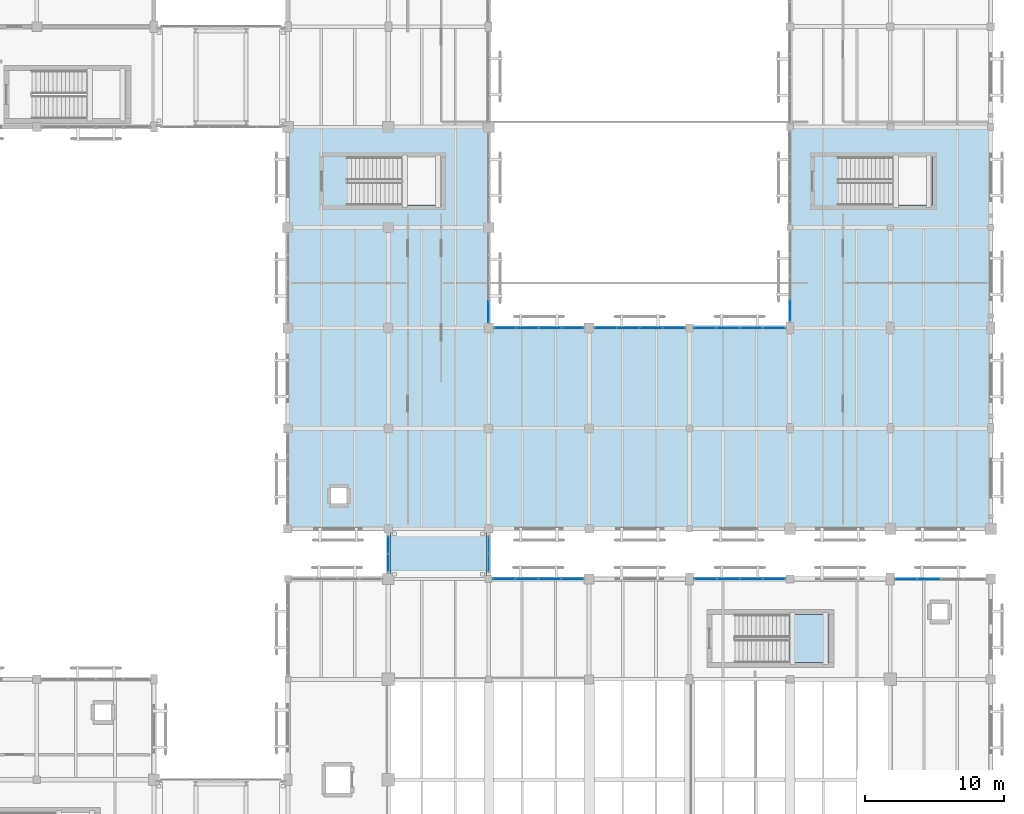
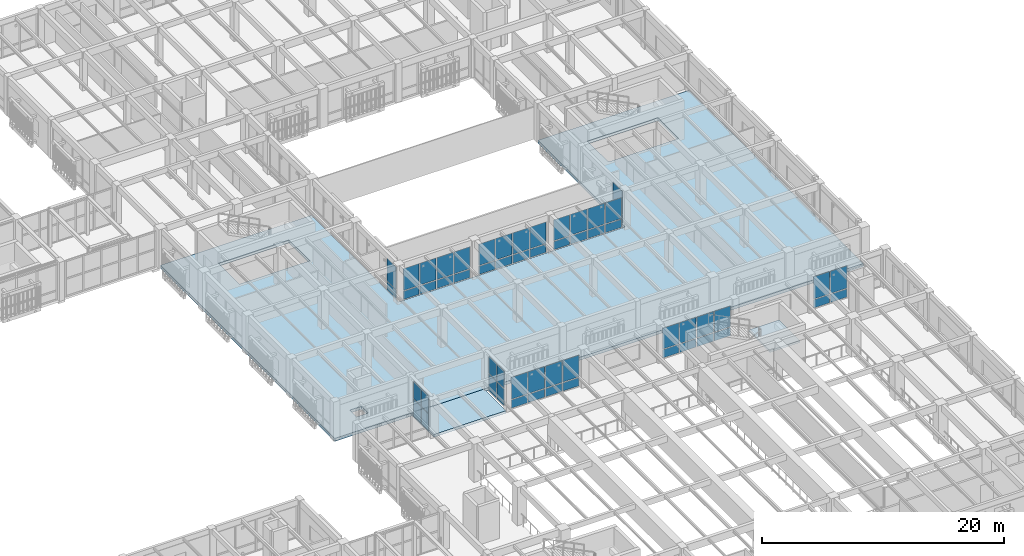
# One storey, part 125 of 170: 56 plates, 3 slabs, 11 elements without a shape of their own.
"""IFC4 building model written with IfcOpenShell, lengths in metres."""

from ifc_helpers import new_model, si_unit, direction, frame, origin, origin_2d, place, context, subcontext, project, spatial, polyline, rectangle, outline, extrude, material, layer, layer_set, type_object, element, aggregate, save


model = new_model("IFC4")

# Units and contexts
model_context = context("Model", 3, precision=1e-05, world=origin(), true_north=direction((0.0, 1.0)))
body_context = subcontext(model_context, "Body", "Model", "MODEL_VIEW")
ifc_project = project(units=[si_unit("LENGTHUNIT", "METRE"), si_unit("AREAUNIT", "SQUARE_METRE"), si_unit("VOLUMEUNIT", "CUBIC_METRE"), si_unit("PLANEANGLEUNIT", "RADIAN"), si_unit("MASSUNIT", "GRAM", prefix="KILO")], contexts=[model_context])

# Site, building, storey
site_placement = place(None, origin())
site = spatial("IfcSite", under=ifc_project, at=site_placement, CompositionType="ELEMENT")
building_placement = place(site_placement, origin())
building = spatial("IfcBuilding", under=site, at=building_placement, Name="Mazaris Harbour Polytechnic", CompositionType="ELEMENT")
storey_placement = place(building_placement, frame((0.0, 0.0, 5.39990234375)))
storey = spatial("IfcBuildingStorey", under=building, at=storey_placement, Name="L01", CompositionType="ELEMENT", Elevation=5.39990234375)

# Slab
ifc_material_1 = material(Name="Glulam GL28h and Concrete C30/37", Category="concrete")
ifc_layer_1 = layer(ifc_material_1, 0.264892578125, Name="Glulam GL28h and Concrete C30/37")
ifc_layer_set_1 = layer_set([ifc_layer_1], Name="Glulam GL28h and Concrete C30/37")
slab_type_1 = type_object("IfcSlabType", Name="CLT Composite Floor 265", PredefinedType="FLOOR", material=ifc_layer_set_1)
slab_1_placement = place(storey_placement, frame((0.0, 0.0, -0.264892578125)))
element("IfcSlab", 1, at=slab_1_placement, inside=storey, type_object=slab_type_1, Name="PB-NE L01 Bridge Deck", PredefinedType="FLOOR", context=body_context, shape_type="SweptSolid", body=[
    extrude(outline(polyline([(136.64990234375, 43.199951171875), (136.64990234375, 46.800048828125), (129.75, 46.800048828125), (129.75, 43.199951171875), (136.64990234375, 43.199951171875)])), origin(), (0.0, 0.0, 1.0), 0.264892578125),
])

# Curtain wall, plates
ifc_material_2 = material(Name="Anodised Bronze Aluminium and Low-E Glass", Category="aluminium")
ifc_layer_2 = layer(ifc_material_2, 0.139892578125, Name="Anodised Bronze Aluminium and Low-E Glass")
ifc_layer_set_2 = layer_set([ifc_layer_2], Name="Anodised Bronze Aluminium and Low-E Glass")
curtain_wall_type_1 = type_object("IfcCurtainWallType", Name="Seismic Link Bridge Glazing", PredefinedType="NOTDEFINED", material=ifc_layer_set_2)
curtain_wall_1_placement = place(storey_placement, origin())
curtain_wall_1 = element("IfcCurtainWall", 2, at=curtain_wall_1_placement, inside=storey, type_object=curtain_wall_type_1, Name="PB-NE L01 Bridge Glazing", PredefinedType="NOTDEFINED")
ifc_material_3 = material(Name="Anodised Bronze Insulated Panel")
ifc_layer_3 = layer(ifc_material_3, 0.0419921875, Name="Anodised Bronze Insulated Panel")
ifc_layer_set_3 = layer_set([ifc_layer_3], Name="Anodised Bronze Insulated Panel")
plate_type_1 = type_object("IfcPlateType", Name="Insulated Bronze Spandrel Panel 42", PredefinedType="CURTAIN_PANEL", material=ifc_layer_set_3)
plate_1_placement = place(storey_placement, frame((129.60009765625, 45.639892578125, 0.080078125), z_axis=(0.0, 0.0, 1.0), x_axis=(0.0, -1.0, 0.0)))
plate_1 = element("IfcPlate", 3, at=plate_1_placement, type_object=plate_type_1, Name="CW-05 panel 1.1", PredefinedType="CURTAIN_PANEL", context=body_context, shape_type="SweptSolid", body=[
    extrude(rectangle(XDim=1.199951171875, YDim=0.0419921875, at=origin_2d()), origin(), (0.0, 0.0, 1.0), 1.697509765625),
])
plate_2_placement = place(storey_placement, frame((129.60009765625, 45.639892578125, 1.857421875), z_axis=(0.0, 0.0, 1.0), x_axis=(0.0, -1.0, 0.0)))
plate_2 = element("IfcPlate", 4, at=plate_2_placement, type_object=plate_type_1, Name="CW-05 panel 1.2", PredefinedType="CURTAIN_PANEL", context=body_context, shape_type="SweptSolid", body=[
    extrude(rectangle(XDim=1.199951171875, YDim=0.0419921875, at=origin_2d()), origin(), (0.0, 0.0, 1.0), 1.697509765625),
])
plate_3_placement = place(storey_placement, frame((129.60009765625, 44.360107421875, 0.080078125), z_axis=(0.0, 0.0, 1.0), x_axis=(0.0, -1.0, 0.0)))
plate_3 = element("IfcPlate", 5, at=plate_3_placement, type_object=plate_type_1, Name="CW-05 panel 2.1", PredefinedType="CURTAIN_PANEL", context=body_context, shape_type="SweptSolid", body=[
    extrude(rectangle(XDim=1.199951171875, YDim=0.0419921875, at=origin_2d()), origin(), (0.0, 0.0, 1.0), 1.697509765625),
])
plate_4_placement = place(storey_placement, frame((129.60009765625, 44.360107421875, 1.857421875), z_axis=(0.0, 0.0, 1.0), x_axis=(0.0, -1.0, 0.0)))
plate_4 = element("IfcPlate", 6, at=plate_4_placement, type_object=plate_type_1, Name="CW-05 panel 2.2", PredefinedType="CURTAIN_PANEL", context=body_context, shape_type="SweptSolid", body=[
    extrude(rectangle(XDim=1.199951171875, YDim=0.0419921875, at=origin_2d()), origin(), (0.0, 0.0, 1.0), 1.697509765625),
])
aggregate(curtain_wall_1, [plate_1, plate_2, plate_3, plate_4])

ifc_material_4 = material(Name="Anodised Bronze Aluminium and Low-E Glass", Category="aluminium")
ifc_layer_4 = layer(ifc_material_4, 0.159912109375, Name="Anodised Bronze Aluminium and Low-E Glass")
ifc_layer_set_4 = layer_set([ifc_layer_4], Name="Anodised Bronze Aluminium and Low-E Glass")
curtain_wall_type_2 = type_object("IfcCurtainWallType", Name="Cloister Court Curtain Wall", PredefinedType="NOTDEFINED", material=ifc_layer_set_4)
curtain_wall_2_placement = place(storey_placement, origin())
curtain_wall_2 = element("IfcCurtainWall", 7, at=curtain_wall_2_placement, inside=storey, type_object=curtain_wall_type_2, Name="V2 L01 Curtain Wall 44", PredefinedType="NOTDEFINED")
ifc_material_5 = material(Name="Low-E Double Glazing", Category="glass")
ifc_layer_5 = layer(ifc_material_5, 0.028076171875, Name="Low-E Double Glazing")
ifc_layer_set_5 = layer_set([ifc_layer_5], Name="Low-E Double Glazing")
plate_type_2 = type_object("IfcPlateType", Name="Low-E Vision Glass Panel 28", PredefinedType="CURTAIN_PANEL", material=ifc_layer_set_5)
plate_5_placement = place(storey_placement, frame((137.888916015625, 43.199951171875, 0.080078125), z_axis=(0.0, 0.0, 1.0), x_axis=(1.0, 0.0, 0.0)))
plate_5 = element("IfcPlate", 8, at=plate_5_placement, type_object=plate_type_2, Name="CW-02 panel 1.1", PredefinedType="CURTAIN_PANEL", context=body_context, shape_type="SweptSolid", body=[
    extrude(rectangle(XDim=1.533935546875, YDim=0.028076171875, at=origin_2d()), origin(), (0.0, 0.0, 1.0), 0.830078125),
])
plate_6_placement = place(storey_placement, frame((137.888916015625, 43.199951171875, 0.990234375), z_axis=(0.0, 0.0, 1.0), x_axis=(1.0, 0.0, 0.0)))
plate_6 = element("IfcPlate", 9, at=plate_6_placement, type_object=plate_type_2, Name="CW-02 panel 1.2", PredefinedType="CURTAIN_PANEL", context=body_context, shape_type="SweptSolid", body=[
    extrude(rectangle(XDim=1.533935546875, YDim=0.028076171875, at=origin_2d()), origin(), (0.0, 0.0, 1.0), 2.18994140625),
])
plate_7_placement = place(storey_placement, frame((139.52294921875, 43.199951171875, 0.080078125), z_axis=(0.0, 0.0, 1.0), x_axis=(1.0, 0.0, 0.0)))
plate_7 = element("IfcPlate", 10, at=plate_7_placement, type_object=plate_type_2, Name="CW-02 panel 2.1", PredefinedType="CURTAIN_PANEL", context=body_context, shape_type="SweptSolid", body=[
    extrude(rectangle(XDim=1.573974609375, YDim=0.028076171875, at=origin_2d()), origin(), (0.0, 0.0, 1.0), 0.830078125),
])
plate_8_placement = place(storey_placement, frame((139.52294921875, 43.199951171875, 0.990234375), z_axis=(0.0, 0.0, 1.0), x_axis=(1.0, 0.0, 0.0)))
plate_8 = element("IfcPlate", 11, at=plate_8_placement, type_object=plate_type_2, Name="CW-02 panel 2.2", PredefinedType="CURTAIN_PANEL", context=body_context, shape_type="SweptSolid", body=[
    extrude(rectangle(XDim=1.573974609375, YDim=0.028076171875, at=origin_2d()), origin(), (0.0, 0.0, 1.0), 2.18994140625),
])
plate_9_placement = place(storey_placement, frame((141.177001953125, 43.199951171875, 0.080078125), z_axis=(0.0, 0.0, 1.0), x_axis=(1.0, 0.0, 0.0)))
plate_9 = element("IfcPlate", 12, at=plate_9_placement, type_object=plate_type_2, Name="CW-02 panel 3.1", PredefinedType="CURTAIN_PANEL", context=body_context, shape_type="SweptSolid", body=[
    extrude(rectangle(XDim=1.573974609375, YDim=0.028076171875, at=origin_2d()), origin(), (0.0, 0.0, 1.0), 0.830078125),
])
plate_10_placement = place(storey_placement, frame((141.177001953125, 43.199951171875, 0.990234375), z_axis=(0.0, 0.0, 1.0), x_axis=(1.0, 0.0, 0.0)))
plate_10 = element("IfcPlate", 13, at=plate_10_placement, type_object=plate_type_2, Name="CW-02 panel 3.2", PredefinedType="CURTAIN_PANEL", context=body_context, shape_type="SweptSolid", body=[
    extrude(rectangle(XDim=1.573974609375, YDim=0.028076171875, at=origin_2d()), origin(), (0.0, 0.0, 1.0), 2.18994140625),
])
plate_11_placement = place(storey_placement, frame((142.81103515625, 43.199951171875, 0.080078125), z_axis=(0.0, 0.0, 1.0), x_axis=(1.0, 0.0, 0.0)))
plate_11 = element("IfcPlate", 14, at=plate_11_placement, type_object=plate_type_2, Name="CW-02 panel 4.1", PredefinedType="CURTAIN_PANEL", context=body_context, shape_type="SweptSolid", body=[
    extrude(rectangle(XDim=1.533935546875, YDim=0.028076171875, at=origin_2d()), origin(), (0.0, 0.0, 1.0), 0.830078125),
])
plate_12_placement = place(storey_placement, frame((142.81103515625, 43.199951171875, 0.990234375), z_axis=(0.0, 0.0, 1.0), x_axis=(1.0, 0.0, 0.0)))
plate_12 = element("IfcPlate", 15, at=plate_12_placement, type_object=plate_type_2, Name="CW-02 panel 4.2", PredefinedType="CURTAIN_PANEL", context=body_context, shape_type="SweptSolid", body=[
    extrude(rectangle(XDim=1.533935546875, YDim=0.028076171875, at=origin_2d()), origin(), (0.0, 0.0, 1.0), 2.18994140625),
])
aggregate(curtain_wall_2, [plate_5, plate_6, plate_7, plate_8, plate_9, plate_10, plate_11, plate_12])

curtain_wall_3_placement = place(storey_placement, origin())
curtain_wall_3 = element("IfcCurtainWall", 16, at=curtain_wall_3_placement, inside=storey, type_object=curtain_wall_type_2, Name="V2 L01 Curtain Wall 45", PredefinedType="NOTDEFINED")
plate_13_placement = place(storey_placement, frame((152.339111328125, 43.199951171875, 0.080078125), z_axis=(0.0, 0.0, 1.0), x_axis=(1.0, 0.0, 0.0)))
plate_13 = element("IfcPlate", 17, at=plate_13_placement, type_object=plate_type_2, Name="CW-02 panel 1.1", PredefinedType="CURTAIN_PANEL", context=body_context, shape_type="SweptSolid", body=[
    extrude(rectangle(XDim=1.533935546875, YDim=0.028076171875, at=origin_2d()), origin(), (0.0, 0.0, 1.0), 0.830078125),
])
plate_14_placement = place(storey_placement, frame((152.339111328125, 43.199951171875, 0.990234375), z_axis=(0.0, 0.0, 1.0), x_axis=(1.0, 0.0, 0.0)))
plate_14 = element("IfcPlate", 18, at=plate_14_placement, type_object=plate_type_2, Name="CW-02 panel 1.2", PredefinedType="CURTAIN_PANEL", context=body_context, shape_type="SweptSolid", body=[
    extrude(rectangle(XDim=1.533935546875, YDim=0.028076171875, at=origin_2d()), origin(), (0.0, 0.0, 1.0), 2.090087890625),
])
plate_15_placement = place(storey_placement, frame((153.972900390625, 43.199951171875, 0.080078125), z_axis=(0.0, 0.0, 1.0), x_axis=(1.0, 0.0, 0.0)))
plate_15 = element("IfcPlate", 19, at=plate_15_placement, type_object=plate_type_2, Name="CW-02 panel 2.1", PredefinedType="CURTAIN_PANEL", context=body_context, shape_type="SweptSolid", body=[
    extrude(rectangle(XDim=1.573974609375, YDim=0.028076171875, at=origin_2d()), origin(), (0.0, 0.0, 1.0), 0.830078125),
])
plate_16_placement = place(storey_placement, frame((153.972900390625, 43.199951171875, 0.990234375), z_axis=(0.0, 0.0, 1.0), x_axis=(1.0, 0.0, 0.0)))
plate_16 = element("IfcPlate", 20, at=plate_16_placement, type_object=plate_type_2, Name="CW-02 panel 2.2", PredefinedType="CURTAIN_PANEL", context=body_context, shape_type="SweptSolid", body=[
    extrude(rectangle(XDim=1.573974609375, YDim=0.028076171875, at=origin_2d()), origin(), (0.0, 0.0, 1.0), 2.090087890625),
])
plate_17_placement = place(storey_placement, frame((155.626953125, 43.199951171875, 0.080078125), z_axis=(0.0, 0.0, 1.0), x_axis=(1.0, 0.0, 0.0)))
plate_17 = element("IfcPlate", 21, at=plate_17_placement, type_object=plate_type_2, Name="CW-02 panel 3.1", PredefinedType="CURTAIN_PANEL", context=body_context, shape_type="SweptSolid", body=[
    extrude(rectangle(XDim=1.573974609375, YDim=0.028076171875, at=origin_2d()), origin(), (0.0, 0.0, 1.0), 0.830078125),
])
plate_18_placement = place(storey_placement, frame((155.626953125, 43.199951171875, 0.990234375), z_axis=(0.0, 0.0, 1.0), x_axis=(1.0, 0.0, 0.0)))
plate_18 = element("IfcPlate", 22, at=plate_18_placement, type_object=plate_type_2, Name="CW-02 panel 3.2", PredefinedType="CURTAIN_PANEL", context=body_context, shape_type="SweptSolid", body=[
    extrude(rectangle(XDim=1.573974609375, YDim=0.028076171875, at=origin_2d()), origin(), (0.0, 0.0, 1.0), 2.090087890625),
])
plate_19_placement = place(storey_placement, frame((157.260986328125, 43.199951171875, 0.080078125), z_axis=(0.0, 0.0, 1.0), x_axis=(1.0, 0.0, 0.0)))
plate_19 = element("IfcPlate", 23, at=plate_19_placement, type_object=plate_type_2, Name="CW-02 panel 4.1", PredefinedType="CURTAIN_PANEL", context=body_context, shape_type="SweptSolid", body=[
    extrude(rectangle(XDim=1.533935546875, YDim=0.028076171875, at=origin_2d()), origin(), (0.0, 0.0, 1.0), 0.830078125),
])
plate_20_placement = place(storey_placement, frame((157.260986328125, 43.199951171875, 0.990234375), z_axis=(0.0, 0.0, 1.0), x_axis=(1.0, 0.0, 0.0)))
plate_20 = element("IfcPlate", 24, at=plate_20_placement, type_object=plate_type_2, Name="CW-02 panel 4.2", PredefinedType="CURTAIN_PANEL", context=body_context, shape_type="SweptSolid", body=[
    extrude(rectangle(XDim=1.533935546875, YDim=0.028076171875, at=origin_2d()), origin(), (0.0, 0.0, 1.0), 2.090087890625),
])
aggregate(curtain_wall_3, [plate_13, plate_14, plate_15, plate_16, plate_17, plate_18, plate_19, plate_20])

curtain_wall_4_placement = place(storey_placement, origin())
curtain_wall_4 = element("IfcCurtainWall", 25, at=curtain_wall_4_placement, inside=storey, type_object=curtain_wall_type_2, Name="V2 L01 Curtain Wall 46", PredefinedType="NOTDEFINED")
plate_21_placement = place(storey_placement, frame((166.732666015625, 43.199951171875, 0.080078125), z_axis=(0.0, 0.0, 1.0), x_axis=(1.0, 0.0, 0.0)))
plate_21 = element("IfcPlate", 26, at=plate_21_placement, type_object=plate_type_2, Name="CW-02 panel 1.1", PredefinedType="CURTAIN_PANEL", context=body_context, shape_type="SweptSolid", body=[
    extrude(rectangle(XDim=1.521484375, YDim=0.028076171875, at=origin_2d()), origin(), (0.0, 0.0, 1.0), 0.830078125),
])
plate_22_placement = place(storey_placement, frame((166.732666015625, 43.199951171875, 0.989990234375), z_axis=(0.0, 0.0, 1.0), x_axis=(1.0, 0.0, 0.0)))
plate_22 = element("IfcPlate", 27, at=plate_22_placement, type_object=plate_type_2, Name="CW-02 panel 1.2", PredefinedType="CURTAIN_PANEL", context=body_context, shape_type="SweptSolid", body=[
    extrude(rectangle(XDim=1.521484375, YDim=0.028076171875, at=origin_2d()), origin(), (0.0, 0.0, 1.0), 2.25),
])
plate_23_placement = place(storey_placement, frame((168.354248046875, 43.199951171875, 0.080078125), z_axis=(0.0, 0.0, 1.0), x_axis=(1.0, 0.0, 0.0)))
plate_23 = element("IfcPlate", 28, at=plate_23_placement, type_object=plate_type_2, Name="CW-02 panel 2.1", PredefinedType="CURTAIN_PANEL", context=body_context, shape_type="SweptSolid", body=[
    extrude(rectangle(XDim=1.5615234375, YDim=0.028076171875, at=origin_2d()), origin(), (0.0, 0.0, 1.0), 0.830078125),
])
plate_24_placement = place(storey_placement, frame((168.354248046875, 43.199951171875, 0.989990234375), z_axis=(0.0, 0.0, 1.0), x_axis=(1.0, 0.0, 0.0)))
plate_24 = element("IfcPlate", 29, at=plate_24_placement, type_object=plate_type_2, Name="CW-02 panel 2.2", PredefinedType="CURTAIN_PANEL", context=body_context, shape_type="SweptSolid", body=[
    extrude(rectangle(XDim=1.5615234375, YDim=0.028076171875, at=origin_2d()), origin(), (0.0, 0.0, 1.0), 2.25),
])
aggregate(curtain_wall_4, [plate_21, plate_22, plate_23, plate_24])

curtain_wall_5_placement = place(storey_placement, origin())
curtain_wall_5 = element("IfcCurtainWall", 30, at=curtain_wall_5_placement, inside=storey, type_object=curtain_wall_type_1, Name="PB-NE L01 Bridge Glazing", PredefinedType="NOTDEFINED")
plate_25_placement = place(storey_placement, frame((136.800048828125, 44.360107421875, 0.080078125), z_axis=(0.0, 0.0, 1.0), x_axis=(0.0, 1.0, 0.0)))
plate_25 = element("IfcPlate", 31, at=plate_25_placement, type_object=plate_type_2, Name="CW-05 panel 1.1", PredefinedType="CURTAIN_PANEL", context=body_context, shape_type="SweptSolid", body=[
    extrude(rectangle(XDim=1.199951171875, YDim=0.028076171875, at=origin_2d()), origin(), (0.0, 0.0, 1.0), 1.697509765625),
])
plate_26_placement = place(storey_placement, frame((136.800048828125, 44.360107421875, 1.857421875), z_axis=(0.0, 0.0, 1.0), x_axis=(0.0, 1.0, 0.0)))
plate_26 = element("IfcPlate", 32, at=plate_26_placement, type_object=plate_type_2, Name="CW-05 panel 1.2", PredefinedType="CURTAIN_PANEL", context=body_context, shape_type="SweptSolid", body=[
    extrude(rectangle(XDim=1.199951171875, YDim=0.028076171875, at=origin_2d()), origin(), (0.0, 0.0, 1.0), 1.697509765625),
])
plate_27_placement = place(storey_placement, frame((136.800048828125, 45.639892578125, 0.080078125), z_axis=(0.0, 0.0, 1.0), x_axis=(0.0, 1.0, 0.0)))
plate_27 = element("IfcPlate", 33, at=plate_27_placement, type_object=plate_type_2, Name="CW-05 panel 2.1", PredefinedType="CURTAIN_PANEL", context=body_context, shape_type="SweptSolid", body=[
    extrude(rectangle(XDim=1.199951171875, YDim=0.028076171875, at=origin_2d()), origin(), (0.0, 0.0, 1.0), 1.697509765625),
])
plate_28_placement = place(storey_placement, frame((136.800048828125, 45.639892578125, 1.857421875), z_axis=(0.0, 0.0, 1.0), x_axis=(0.0, 1.0, 0.0)))
plate_28 = element("IfcPlate", 34, at=plate_28_placement, type_object=plate_type_2, Name="CW-05 panel 2.2", PredefinedType="CURTAIN_PANEL", context=body_context, shape_type="SweptSolid", body=[
    extrude(rectangle(XDim=1.199951171875, YDim=0.028076171875, at=origin_2d()), origin(), (0.0, 0.0, 1.0), 1.697509765625),
])
aggregate(curtain_wall_5, [plate_25, plate_26, plate_27, plate_28])

# Slab
ifc_material_6 = material(Name="Concrete C35/45", Category="concrete")
ifc_layer_6 = layer(ifc_material_6, 0.300048828125, Name="Concrete C35/45")
ifc_layer_set_6 = layer_set([ifc_layer_6], Name="Concrete C35/45")
slab_type_2 = type_object("IfcSlabType", Name="RC Podium Slab 300", PredefinedType="FLOOR", material=ifc_layer_set_6)
slab_2_placement = place(storey_placement, frame((0.0, 0.0, -0.2998046875)))
element("IfcSlab", 35, at=slab_2_placement, inside=storey, type_object=slab_type_2, Name="V5 L01 Floor Slab", PredefinedType="FLOOR", context=body_context, shape_type="SweptSolid", body=[
    extrude(outline(polyline([(172.800048828125, 46.800048828125), (122.39990234375, 46.800048828125), (122.39990234375, 75.60009765625), (136.800048828125, 75.60009765625), (136.800048828125, 61.199951171875), (158.39990234375, 61.199951171875), (158.39990234375, 75.60009765625), (172.800048828125, 75.60009765625), (172.800048828125, 46.800048828125)]), holes=[polyline([(126.675048828125, 70.0), (133.39990234375, 70.0), (133.39990234375, 73.449951171875), (126.675048828125, 73.449951171875), (126.675048828125, 70.0)]), polyline([(161.875, 73.449951171875), (161.875, 70.0), (168.60009765625, 70.0), (168.60009765625, 73.449951171875), (161.875, 73.449951171875)]), polyline([(125.5, 48.60009765625), (126.6201171875, 48.60009765625), (126.6201171875, 49.719970703125), (125.5, 49.719970703125), (125.5, 48.60009765625)])]), origin(), (0.0, 0.0, 1.0), 0.2998046875),
])

# Stair, slab
ifc_material_7 = material(Name="Concrete C40/50", Category="concrete")
stair_type = type_object("IfcStairType", Name="Core Exit Stair H4200", PredefinedType="HALF_TURN_STAIR", material=ifc_material_7)
stair_placement = place(storey_placement, origin())
stair = element("IfcStair", 36, at=stair_placement, inside=storey, type_object=stair_type, Name="L01 ST04", PredefinedType="HALF_TURN_STAIR")
ifc_material_8 = material(Name="Concrete C40/50", Category="concrete")
ifc_layer_7 = layer(ifc_material_8, 0.199951171875, Name="Concrete C40/50")
ifc_layer_set_7 = layer_set([ifc_layer_7], Name="Concrete C40/50")
slab_type_3 = type_object("IfcSlabType", Name="RC Stair Landing 200", PredefinedType="LANDING", material=ifc_layer_set_7)
slab_3_placement = place(storey_placement, frame((0.0, 0.0, 1.900146484375)))
slab_3 = element("IfcSlab", 37, at=slab_3_placement, type_object=slab_type_3, Name="ST04 landing 1", PredefinedType="LANDING", context=body_context, shape_type="SweptSolid", body=[
    extrude(outline(polyline([(158.35009765625, 37.199951171875), (161.199951171875, 37.199951171875), (161.199951171875, 40.64990234375), (158.35009765625, 40.64990234375), (158.35009765625, 37.199951171875)])), origin(), (0.0, 0.0, 1.0), 0.199951171875),
])
aggregate(stair, [slab_3])

# Curtain wall, plates
ifc_material_9 = material(Name="Anodised Bronze Aluminium and Low-E Glass", Category="aluminium")
ifc_layer_8 = layer(ifc_material_9, 0.169921875, Name="Anodised Bronze Aluminium and Low-E Glass")
ifc_layer_set_8 = layer_set([ifc_layer_8], Name="Anodised Bronze Aluminium and Low-E Glass")
curtain_wall_type_3 = type_object("IfcCurtainWallType", Name="Studio North-Light Curtain Wall", PredefinedType="NOTDEFINED", material=ifc_layer_set_8)
curtain_wall_6_placement = place(storey_placement, origin())
curtain_wall_6 = element("IfcCurtainWall", 38, at=curtain_wall_6_placement, inside=storey, type_object=curtain_wall_type_3, Name="V5 L01 Curtain Wall 213", PredefinedType="NOTDEFINED")
ifc_material_10 = material(Name="Solar-Control Low-E Glazing", Category="glass")
ifc_layer_9 = layer(ifc_material_10, 0.031982421875, Name="Solar-Control Low-E Glazing")
ifc_layer_set_9 = layer_set([ifc_layer_9], Name="Solar-Control Low-E Glazing")
plate_type_3 = type_object("IfcPlateType", Name="Solar Control Studio Glass Panel 32", PredefinedType="CURTAIN_PANEL", material=ifc_layer_set_9)
plate_29_placement = place(storey_placement, frame((137.9765625, 61.199951171875, 0.080078125), z_axis=(0.0, 0.0, 1.0), x_axis=(1.0, 0.0, 0.0)))
plate_29 = element("IfcPlate", 39, at=plate_29_placement, type_object=plate_type_3, Name="CW-03 panel 1.1", PredefinedType="CURTAIN_PANEL", context=body_context, shape_type="SweptSolid", body=[
    extrude(rectangle(XDim=1.509033203125, YDim=0.031982421875, at=origin_2d()), origin(), (0.0, 0.0, 1.0), 0.830078125),
])
plate_30_placement = place(storey_placement, frame((137.9765625, 61.199951171875, 0.990234375), z_axis=(0.0, 0.0, 1.0), x_axis=(1.0, 0.0, 0.0)))
plate_30 = element("IfcPlate", 40, at=plate_30_placement, type_object=plate_type_3, Name="CW-03 panel 1.2", PredefinedType="CURTAIN_PANEL", context=body_context, shape_type="SweptSolid", body=[
    extrude(rectangle(XDim=1.509033203125, YDim=0.031982421875, at=origin_2d()), origin(), (0.0, 0.0, 1.0), 2.199951171875),
])
plate_31_placement = place(storey_placement, frame((139.58544921875, 61.199951171875, 0.080078125), z_axis=(0.0, 0.0, 1.0), x_axis=(1.0, 0.0, 0.0)))
plate_31 = element("IfcPlate", 41, at=plate_31_placement, type_object=plate_type_3, Name="CW-03 panel 2.1", PredefinedType="CURTAIN_PANEL", context=body_context, shape_type="SweptSolid", body=[
    extrude(rectangle(XDim=1.549072265625, YDim=0.031982421875, at=origin_2d()), origin(), (0.0, 0.0, 1.0), 0.830078125),
])
plate_32_placement = place(storey_placement, frame((139.58544921875, 61.199951171875, 0.990234375), z_axis=(0.0, 0.0, 1.0), x_axis=(1.0, 0.0, 0.0)))
plate_32 = element("IfcPlate", 42, at=plate_32_placement, type_object=plate_type_3, Name="CW-03 panel 2.2", PredefinedType="CURTAIN_PANEL", context=body_context, shape_type="SweptSolid", body=[
    extrude(rectangle(XDim=1.549072265625, YDim=0.031982421875, at=origin_2d()), origin(), (0.0, 0.0, 1.0), 2.199951171875),
])
plate_33_placement = place(storey_placement, frame((141.214599609375, 61.199951171875, 0.080078125), z_axis=(0.0, 0.0, 1.0), x_axis=(1.0, 0.0, 0.0)))
plate_33 = element("IfcPlate", 43, at=plate_33_placement, type_object=plate_type_3, Name="CW-03 panel 3.1", PredefinedType="CURTAIN_PANEL", context=body_context, shape_type="SweptSolid", body=[
    extrude(rectangle(XDim=1.549072265625, YDim=0.031982421875, at=origin_2d()), origin(), (0.0, 0.0, 1.0), 0.830078125),
])
plate_34_placement = place(storey_placement, frame((141.214599609375, 61.199951171875, 0.990234375), z_axis=(0.0, 0.0, 1.0), x_axis=(1.0, 0.0, 0.0)))
plate_34 = element("IfcPlate", 44, at=plate_34_placement, type_object=plate_type_3, Name="CW-03 panel 3.2", PredefinedType="CURTAIN_PANEL", context=body_context, shape_type="SweptSolid", body=[
    extrude(rectangle(XDim=1.549072265625, YDim=0.031982421875, at=origin_2d()), origin(), (0.0, 0.0, 1.0), 2.199951171875),
])
plate_35_placement = place(storey_placement, frame((142.823486328125, 61.199951171875, 0.080078125), z_axis=(0.0, 0.0, 1.0), x_axis=(1.0, 0.0, 0.0)))
plate_35 = element("IfcPlate", 45, at=plate_35_placement, type_object=plate_type_3, Name="CW-03 panel 4.1", PredefinedType="CURTAIN_PANEL", context=body_context, shape_type="SweptSolid", body=[
    extrude(rectangle(XDim=1.509033203125, YDim=0.031982421875, at=origin_2d()), origin(), (0.0, 0.0, 1.0), 0.830078125),
])
plate_36_placement = place(storey_placement, frame((142.823486328125, 61.199951171875, 0.990234375), z_axis=(0.0, 0.0, 1.0), x_axis=(1.0, 0.0, 0.0)))
plate_36 = element("IfcPlate", 46, at=plate_36_placement, type_object=plate_type_3, Name="CW-03 panel 4.2", PredefinedType="CURTAIN_PANEL", context=body_context, shape_type="SweptSolid", body=[
    extrude(rectangle(XDim=1.509033203125, YDim=0.031982421875, at=origin_2d()), origin(), (0.0, 0.0, 1.0), 2.199951171875),
])
aggregate(curtain_wall_6, [plate_29, plate_30, plate_31, plate_32, plate_33, plate_34, plate_35, plate_36])

curtain_wall_7_placement = place(storey_placement, origin())
curtain_wall_7 = element("IfcCurtainWall", 47, at=curtain_wall_7_placement, inside=storey, type_object=curtain_wall_type_3, Name="V5 L01 Curtain Wall 214", PredefinedType="NOTDEFINED")
plate_37_placement = place(storey_placement, frame((145.185791015625, 61.199951171875, 0.080078125), z_axis=(0.0, 0.0, 1.0), x_axis=(1.0, 0.0, 0.0)))
plate_37 = element("IfcPlate", 48, at=plate_37_placement, type_object=plate_type_3, Name="CW-03 panel 1.1", PredefinedType="CURTAIN_PANEL", context=body_context, shape_type="SweptSolid", body=[
    extrude(rectangle(XDim=1.52783203125, YDim=0.031982421875, at=origin_2d()), origin(), (0.0, 0.0, 1.0), 0.830078125),
])
plate_38_placement = place(storey_placement, frame((145.185791015625, 61.199951171875, 0.990234375), z_axis=(0.0, 0.0, 1.0), x_axis=(1.0, 0.0, 0.0)))
plate_38 = element("IfcPlate", 49, at=plate_38_placement, type_object=plate_type_3, Name="CW-03 panel 1.2", PredefinedType="CURTAIN_PANEL", context=body_context, shape_type="SweptSolid", body=[
    extrude(rectangle(XDim=1.52783203125, YDim=0.031982421875, at=origin_2d()), origin(), (0.0, 0.0, 1.0), 2.159912109375),
])
plate_39_placement = place(storey_placement, frame((146.813720703125, 61.199951171875, 0.080078125), z_axis=(0.0, 0.0, 1.0), x_axis=(1.0, 0.0, 0.0)))
plate_39 = element("IfcPlate", 50, at=plate_39_placement, type_object=plate_type_3, Name="CW-03 panel 2.1", PredefinedType="CURTAIN_PANEL", context=body_context, shape_type="SweptSolid", body=[
    extrude(rectangle(XDim=1.56787109375, YDim=0.031982421875, at=origin_2d()), origin(), (0.0, 0.0, 1.0), 0.830078125),
])
plate_40_placement = place(storey_placement, frame((146.813720703125, 61.199951171875, 0.990234375), z_axis=(0.0, 0.0, 1.0), x_axis=(1.0, 0.0, 0.0)))
plate_40 = element("IfcPlate", 51, at=plate_40_placement, type_object=plate_type_3, Name="CW-03 panel 2.2", PredefinedType="CURTAIN_PANEL", context=body_context, shape_type="SweptSolid", body=[
    extrude(rectangle(XDim=1.56787109375, YDim=0.031982421875, at=origin_2d()), origin(), (0.0, 0.0, 1.0), 2.159912109375),
])
plate_41_placement = place(storey_placement, frame((148.46142578125, 61.199951171875, 0.080078125), z_axis=(0.0, 0.0, 1.0), x_axis=(1.0, 0.0, 0.0)))
plate_41 = element("IfcPlate", 52, at=plate_41_placement, type_object=plate_type_3, Name="CW-03 panel 3.1", PredefinedType="CURTAIN_PANEL", context=body_context, shape_type="SweptSolid", body=[
    extrude(rectangle(XDim=1.56787109375, YDim=0.031982421875, at=origin_2d()), origin(), (0.0, 0.0, 1.0), 0.830078125),
])
plate_42_placement = place(storey_placement, frame((148.46142578125, 61.199951171875, 0.990234375), z_axis=(0.0, 0.0, 1.0), x_axis=(1.0, 0.0, 0.0)))
plate_42 = element("IfcPlate", 53, at=plate_42_placement, type_object=plate_type_3, Name="CW-03 panel 3.2", PredefinedType="CURTAIN_PANEL", context=body_context, shape_type="SweptSolid", body=[
    extrude(rectangle(XDim=1.56787109375, YDim=0.031982421875, at=origin_2d()), origin(), (0.0, 0.0, 1.0), 2.159912109375),
])
plate_43_placement = place(storey_placement, frame((150.089111328125, 61.199951171875, 0.080078125), z_axis=(0.0, 0.0, 1.0), x_axis=(1.0, 0.0, 0.0)))
plate_43 = element("IfcPlate", 54, at=plate_43_placement, type_object=plate_type_3, Name="CW-03 panel 4.1", PredefinedType="CURTAIN_PANEL", context=body_context, shape_type="SweptSolid", body=[
    extrude(rectangle(XDim=1.52783203125, YDim=0.031982421875, at=origin_2d()), origin(), (0.0, 0.0, 1.0), 0.830078125),
])
plate_44_placement = place(storey_placement, frame((150.089111328125, 61.199951171875, 0.990234375), z_axis=(0.0, 0.0, 1.0), x_axis=(1.0, 0.0, 0.0)))
plate_44 = element("IfcPlate", 55, at=plate_44_placement, type_object=plate_type_3, Name="CW-03 panel 4.2", PredefinedType="CURTAIN_PANEL", context=body_context, shape_type="SweptSolid", body=[
    extrude(rectangle(XDim=1.52783203125, YDim=0.031982421875, at=origin_2d()), origin(), (0.0, 0.0, 1.0), 2.159912109375),
])
aggregate(curtain_wall_7, [plate_37, plate_38, plate_39, plate_40, plate_41, plate_42, plate_43, plate_44])

curtain_wall_8_placement = place(storey_placement, origin())
curtain_wall_8 = element("IfcCurtainWall", 56, at=curtain_wall_8_placement, inside=storey, type_object=curtain_wall_type_3, Name="V5 L01 Curtain Wall 215", PredefinedType="NOTDEFINED")
plate_45_placement = place(storey_placement, frame((152.317138671875, 61.199951171875, 0.080078125), z_axis=(0.0, 0.0, 1.0), x_axis=(1.0, 0.0, 0.0)))
plate_45 = element("IfcPlate", 57, at=plate_45_placement, type_object=plate_type_3, Name="CW-03 panel 1.1", PredefinedType="CURTAIN_PANEL", context=body_context, shape_type="SweptSolid", body=[
    extrude(rectangle(XDim=1.540283203125, YDim=0.031982421875, at=origin_2d()), origin(), (0.0, 0.0, 1.0), 0.830078125),
])
plate_46_placement = place(storey_placement, frame((152.317138671875, 61.199951171875, 0.989990234375), z_axis=(0.0, 0.0, 1.0), x_axis=(1.0, 0.0, 0.0)))
plate_46 = element("IfcPlate", 58, at=plate_46_placement, type_object=plate_type_3, Name="CW-03 panel 1.2", PredefinedType="CURTAIN_PANEL", context=body_context, shape_type="SweptSolid", body=[
    extrude(rectangle(XDim=1.540283203125, YDim=0.031982421875, at=origin_2d()), origin(), (0.0, 0.0, 1.0), 2.10009765625),
])
plate_47_placement = place(storey_placement, frame((153.957275390625, 61.199951171875, 0.080078125), z_axis=(0.0, 0.0, 1.0), x_axis=(1.0, 0.0, 0.0)))
plate_47 = element("IfcPlate", 59, at=plate_47_placement, type_object=plate_type_3, Name="CW-03 panel 2.1", PredefinedType="CURTAIN_PANEL", context=body_context, shape_type="SweptSolid", body=[
    extrude(rectangle(XDim=1.580322265625, YDim=0.031982421875, at=origin_2d()), origin(), (0.0, 0.0, 1.0), 0.830078125),
])
plate_48_placement = place(storey_placement, frame((153.957275390625, 61.199951171875, 0.989990234375), z_axis=(0.0, 0.0, 1.0), x_axis=(1.0, 0.0, 0.0)))
plate_48 = element("IfcPlate", 60, at=plate_48_placement, type_object=plate_type_3, Name="CW-03 panel 2.2", PredefinedType="CURTAIN_PANEL", context=body_context, shape_type="SweptSolid", body=[
    extrude(rectangle(XDim=1.580322265625, YDim=0.031982421875, at=origin_2d()), origin(), (0.0, 0.0, 1.0), 2.10009765625),
])
plate_49_placement = place(storey_placement, frame((155.61767578125, 61.199951171875, 0.080078125), z_axis=(0.0, 0.0, 1.0), x_axis=(1.0, 0.0, 0.0)))
plate_49 = element("IfcPlate", 61, at=plate_49_placement, type_object=plate_type_3, Name="CW-03 panel 3.1", PredefinedType="CURTAIN_PANEL", context=body_context, shape_type="SweptSolid", body=[
    extrude(rectangle(XDim=1.580322265625, YDim=0.031982421875, at=origin_2d()), origin(), (0.0, 0.0, 1.0), 0.830078125),
])
plate_50_placement = place(storey_placement, frame((155.61767578125, 61.199951171875, 0.989990234375), z_axis=(0.0, 0.0, 1.0), x_axis=(1.0, 0.0, 0.0)))
plate_50 = element("IfcPlate", 62, at=plate_50_placement, type_object=plate_type_3, Name="CW-03 panel 3.2", PredefinedType="CURTAIN_PANEL", context=body_context, shape_type="SweptSolid", body=[
    extrude(rectangle(XDim=1.580322265625, YDim=0.031982421875, at=origin_2d()), origin(), (0.0, 0.0, 1.0), 2.10009765625),
])
plate_51_placement = place(storey_placement, frame((157.2578125, 61.199951171875, 0.080078125), z_axis=(0.0, 0.0, 1.0), x_axis=(1.0, 0.0, 0.0)))
plate_51 = element("IfcPlate", 63, at=plate_51_placement, type_object=plate_type_3, Name="CW-03 panel 4.1", PredefinedType="CURTAIN_PANEL", context=body_context, shape_type="SweptSolid", body=[
    extrude(rectangle(XDim=1.540283203125, YDim=0.031982421875, at=origin_2d()), origin(), (0.0, 0.0, 1.0), 0.830078125),
])
plate_52_placement = place(storey_placement, frame((157.2578125, 61.199951171875, 0.989990234375), z_axis=(0.0, 0.0, 1.0), x_axis=(1.0, 0.0, 0.0)))
plate_52 = element("IfcPlate", 64, at=plate_52_placement, type_object=plate_type_3, Name="CW-03 panel 4.2", PredefinedType="CURTAIN_PANEL", context=body_context, shape_type="SweptSolid", body=[
    extrude(rectangle(XDim=1.540283203125, YDim=0.031982421875, at=origin_2d()), origin(), (0.0, 0.0, 1.0), 2.10009765625),
])
aggregate(curtain_wall_8, [plate_45, plate_46, plate_47, plate_48, plate_49, plate_50, plate_51, plate_52])

curtain_wall_9_placement = place(storey_placement, origin())
curtain_wall_9 = element("IfcCurtainWall", 65, at=curtain_wall_9_placement, inside=storey, type_object=curtain_wall_type_3, Name="V5 L01 Curtain Wall 219", PredefinedType="NOTDEFINED")
plate_53_placement = place(storey_placement, frame((136.800048828125, 62.373291015625, 0.080078125), z_axis=(0.0, 0.0, 1.0), x_axis=(0.0, 1.0, 0.0)))
plate_53 = element("IfcPlate", 66, at=plate_53_placement, type_object=plate_type_3, Name="CW-03 panel 1.1", PredefinedType="CURTAIN_PANEL", context=body_context, shape_type="SweptSolid", body=[
    extrude(rectangle(XDim=1.502685546875, YDim=0.031982421875, at=origin_2d()), origin(), (0.0, 0.0, 1.0), 0.830078125),
])
plate_54_placement = place(storey_placement, frame((136.800048828125, 62.373291015625, 0.990234375), z_axis=(0.0, 0.0, 1.0), x_axis=(0.0, 1.0, 0.0)))
plate_54 = element("IfcPlate", 67, at=plate_54_placement, type_object=plate_type_3, Name="CW-03 panel 1.2", PredefinedType="CURTAIN_PANEL", context=body_context, shape_type="SweptSolid", body=[
    extrude(rectangle(XDim=1.502685546875, YDim=0.031982421875, at=origin_2d()), origin(), (0.0, 0.0, 1.0), 2.260009765625),
])
aggregate(curtain_wall_9, [plate_53, plate_54])

curtain_wall_10_placement = place(storey_placement, origin())
curtain_wall_10 = element("IfcCurtainWall", 68, at=curtain_wall_10_placement, inside=storey, type_object=curtain_wall_type_3, Name="V5 L01 Curtain Wall 223", PredefinedType="NOTDEFINED")
plate_55_placement = place(storey_placement, frame((158.39990234375, 62.457763671875, 0.080078125), z_axis=(0.0, 0.0, 1.0), x_axis=(0.0, -1.0, 0.0)))
plate_55 = element("IfcPlate", 69, at=plate_55_placement, type_object=plate_type_3, Name="CW-03 panel 4.1", PredefinedType="CURTAIN_PANEL", context=body_context, shape_type="SweptSolid", body=[
    extrude(rectangle(XDim=1.521484375, YDim=0.031982421875, at=origin_2d()), origin(), (0.0, 0.0, 1.0), 0.830078125),
])
plate_56_placement = place(storey_placement, frame((158.39990234375, 62.457763671875, 0.990234375), z_axis=(0.0, 0.0, 1.0), x_axis=(0.0, -1.0, 0.0)))
plate_56 = element("IfcPlate", 70, at=plate_56_placement, type_object=plate_type_3, Name="CW-03 panel 4.2", PredefinedType="CURTAIN_PANEL", context=body_context, shape_type="SweptSolid", body=[
    extrude(rectangle(XDim=1.521484375, YDim=0.031982421875, at=origin_2d()), origin(), (0.0, 0.0, 1.0), 2.320068359375),
])
aggregate(curtain_wall_10, [plate_55, plate_56])

save(model, "model.ifc")
